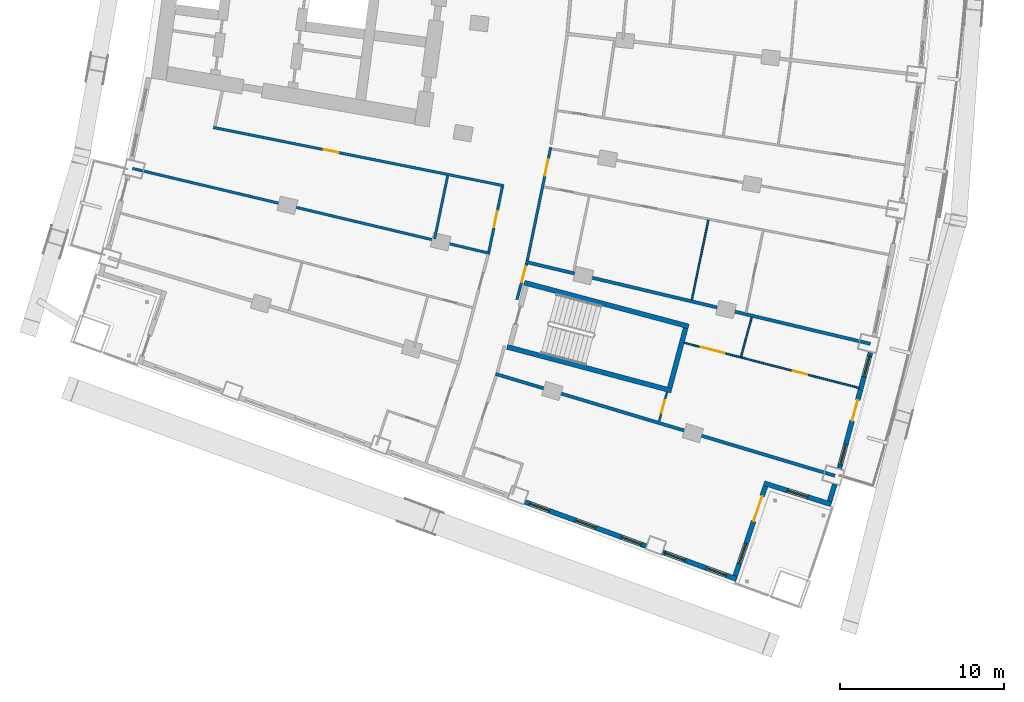
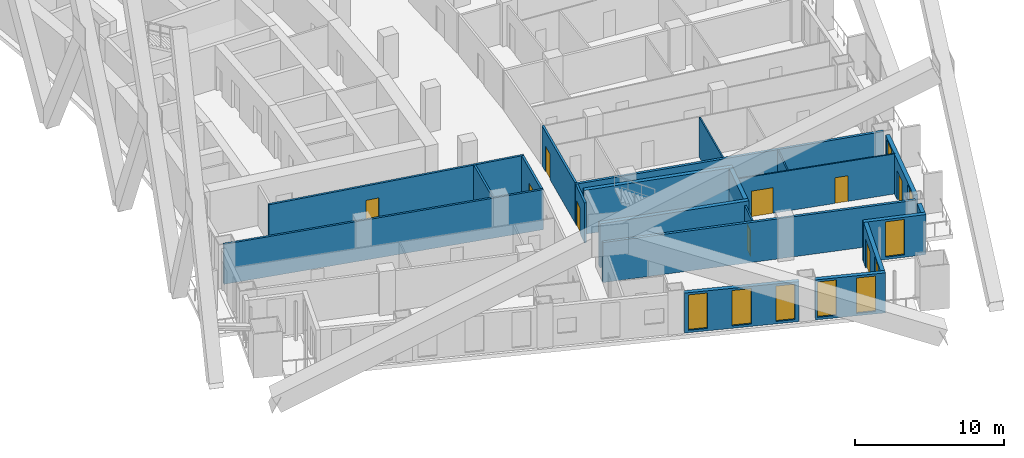
# One storey, part 12 of 23: 21 walls, 9 doors, 9 windows, 18 openings.
"""IFC4 building model written with IfcOpenShell, lengths in metres."""

from ifc_helpers import new_model, si_unit, direction, frame, frame_2d, origin, place, context, subcontext, project, spatial, rectangle, extrude, material, layer, layer_set, type_object, element, fill, save


model = new_model("IFC4")

# Units and contexts
model_context = context("Model", 3, precision=1e-05, world=origin(), true_north=direction((0.0, 1.0)))
body_context = subcontext(model_context, "Body", "Model", "MODEL_VIEW")
ifc_project = project(units=[si_unit("LENGTHUNIT", "METRE"), si_unit("AREAUNIT", "SQUARE_METRE"), si_unit("VOLUMEUNIT", "CUBIC_METRE"), si_unit("PLANEANGLEUNIT", "RADIAN"), si_unit("MASSUNIT", "GRAM", prefix="KILO")], contexts=[model_context])

# Site, building, storey
site_placement = place(None, origin())
site = spatial("IfcSite", under=ifc_project, at=site_placement, CompositionType="ELEMENT")
building_placement = place(site_placement, origin())
building = spatial("IfcBuilding", under=site, at=building_placement, Name="Alderwake Tower", CompositionType="ELEMENT")
storey_placement = place(building_placement, frame((0.0, 0.0, 53.60009765625)))
storey = spatial("IfcBuildingStorey", under=building, at=storey_placement, Name="L12", CompositionType="ELEMENT", Elevation=53.60009765625)

# Walls
ifc_material_1 = material(Name="Concrete C70/85", Category="concrete")
ifc_layer_1 = layer(ifc_material_1, 0.300048828125)
ifc_layer_set_1 = layer_set([ifc_layer_1], Name="Core wall stair enclosure 300 C70-85")
wall_type_1 = type_object("IfcWallType", Name="Core wall stair enclosure 300 C70-85", PredefinedType="SHEAR", material=ifc_layer_set_1)
for number, where, z_axis, x_axis, name in (
    (1, (37.75390625, 31.731201171875, 0.0), (0.0, 0.0, 1.0), (0.966309214305, -0.257383958996, 0.0), "Core wall CW.086"),
    (2, (36.71142578125, 27.817626953125, 0.0), (0.0, 0.0, 1.0), (0.966309214305, -0.257383958996, 0.0), "Core wall CW.088"),
):
    element("IfcWall", number, at=place(storey_placement, frame(where, z_axis=z_axis, x_axis=x_axis)), inside=storey, type_object=wall_type_1, Name=name, PredefinedType="SHEAR", context=body_context, shape_type="SweptSolid", body=[
        extrude(rectangle(XDim=10.360107421875, YDim=0.300048828125, at=frame_2d((5.18017578125, 0.0))), origin(), (0.0, 0.0, 1.0), 3.599853515625),
    ])
wall_1_placement = place(storey_placement, frame((46.6162109375, 25.334716796875, 0.0), z_axis=(0.0, 0.0, 1.0), x_axis=(0.257366821694, 0.966313778796, 0.0)))
element("IfcWall", 3, at=wall_1_placement, inside=storey, type_object=wall_type_1, Name="Core wall CW.085", PredefinedType="SHEAR", context=body_context, shape_type="SweptSolid", body=[
    extrude(rectangle(XDim=3.749755859375, YDim=0.300048828125, at=frame_2d((1.875, 0.0))), origin(), (0.0, 0.0, 1.0), 3.599853515625),
])
ifc_material_2 = material(Name="Gypsum board on metal studs, rated")
ifc_layer_2 = layer(ifc_material_2, 0.159912109375)
ifc_layer_set_2 = layer_set([ifc_layer_2], Name="Corridor wall 160")
wall_type_2 = type_object("IfcWallType", Name="Corridor wall 160", PredefinedType="PARTITIONING", material=ifc_layer_set_2)
wall_2_placement = place(storey_placement, frame((13.884033203125, 38.68798828125, 0.0), z_axis=(0.0, 0.0, 1.0), x_axis=(0.972893462073, -0.231253781493, 0.0)))
element("IfcWall", 4, at=wall_2_placement, inside=storey, type_object=wall_type_2, Name="WL/L12/W13", PredefinedType="PARTITIONING", context=body_context, shape_type="SweptSolid", body=[
    extrude(rectangle(XDim=22.38037109375, YDim=0.159912109375, at=frame_2d((11.190185546875, 0.0))), origin(), (0.0, 0.0, 1.0), 3.27978515625),
])

# Wall, opening, door
wall_3_placement = place(storey_placement, frame((36.513427734375, 37.63427734375, 0.0), z_axis=(0.0, 0.0, 1.0), x_axis=(-0.980470254867, 0.1966674333, 0.0)))
wall_3 = element("IfcWall", 5, at=wall_3_placement, inside=storey, type_object=wall_type_2, Name="WL/L12/W14", PredefinedType="PARTITIONING", context=body_context, shape_type="SweptSolid", body=[
    extrude(rectangle(XDim=18.053466796875, YDim=0.159912109375, at=frame_2d((9.02685546875, 0.0))), origin(), (0.0, 0.0, 1.0), 3.27978515625),
])
opening_1_placement = place(wall_3_placement, frame((10.277099609375, 0.0, 0.0)))
opening_1 = element("IfcOpeningElement", 6, at=opening_1_placement, cuts=wall_3, Name="Opening R03-SBS1", PredefinedType="OPENING", context=body_context, shape_type="SweptSolid", body=[
    extrude(rectangle(XDim=0.89990234375, YDim=2.10009765625, at=frame_2d((0.449951171875, 1.050048828125))), frame((0.0, 0.08984375, 0.0), z_axis=(0.0, -1.0, 0.0), x_axis=(1.0, 0.0, 0.0)), (0.0, 0.0, 1.0), 0.179931640625),
])
ifc_material_3 = material(Name="Painted timber leaf", Category="wood")
door_type_1 = type_object("IfcDoorType", Name="Room door 900", OperationType="SINGLE_SWING_LEFT", PredefinedType="DOOR", material=ifc_material_3)
door_1_placement = place(opening_1_placement, origin())
door_1 = element("IfcDoor", 7, at=door_1_placement, inside=storey, type_object=door_type_1, Name="DR/L12/SBS1", OperationType="SINGLE_SWING_LEFT", OverallHeight=2.10009765625, OverallWidth=0.89990234375, PredefinedType="DOOR", context=body_context, shape_type="SweptSolid", body=[
    extrude(rectangle(XDim=0.89990234375, YDim=2.10009765625, at=frame_2d((0.449951171875, 1.050048828125))), frame((0.0, 0.02490234375, 0.0), z_axis=(0.0, -1.0, 0.0), x_axis=(1.0, 0.0, 0.0)), (0.0, 0.0, 1.0), 0.050048828125),
])
fill(opening_1, door_1)

wall_4_placement = place(storey_placement, frame((35.59619140625, 33.609375, 0.0), z_axis=(0.0, 0.0, 1.0), x_axis=(0.203245920818, 0.979127721838, 0.0)))
wall_4 = element("IfcWall", 8, at=wall_4_placement, inside=storey, type_object=wall_type_2, Name="WL/L12/W26", PredefinedType="PARTITIONING", context=body_context, shape_type="SweptSolid", body=[
    extrude(rectangle(XDim=4.046875, YDim=0.159912109375, at=frame_2d((2.0234375, 0.0))), origin(), (0.0, 0.0, 1.0), 3.27978515625),
])
opening_2_placement = place(wall_4_placement, frame((1.5234375, 0.0, 0.0)))
opening_2 = element("IfcOpeningElement", 9, at=opening_2_placement, cuts=wall_4, Name="Opening R03-SBS2", PredefinedType="OPENING", context=body_context, shape_type="SweptSolid", body=[
    extrude(rectangle(XDim=1.0, YDim=2.10009765625, at=frame_2d((0.5, 1.050048828125))), frame((0.0, 0.08984375, 0.0), z_axis=(0.0, -1.0, 0.0), x_axis=(1.0, 0.0, 0.0)), (0.0, 0.0, 1.0), 0.179931640625),
])
ifc_material_4 = material(Name="Steel-framed fire door leaf", Category="steel")
door_type_2 = type_object("IfcDoorType", Name="Plant room door 1000 fire-rated", OperationType="SINGLE_SWING_LEFT", PredefinedType="DOOR", material=ifc_material_4)
door_2_placement = place(opening_2_placement, origin())
door_2 = element("IfcDoor", 10, at=door_2_placement, inside=storey, type_object=door_type_2, Name="DR/L12/SBS2", OperationType="SINGLE_SWING_LEFT", OverallHeight=2.10009765625, OverallWidth=1.0, PredefinedType="DOOR", context=body_context, shape_type="SweptSolid", body=[
    extrude(rectangle(XDim=1.0, YDim=2.10009765625, at=frame_2d((0.5, 1.050048828125))), frame((0.0, 0.02490234375, 0.0), z_axis=(0.0, -1.0, 0.0), x_axis=(1.0, 0.0, 0.0)), (0.0, 0.0, 1.0), 0.050048828125),
])
fill(opening_2, door_2)

wall_5_placement = place(storey_placement, frame((37.89111328125, 32.87939453125, 0.0), z_axis=(0.0, 0.0, 1.0), x_axis=(-0.259620578816, -0.965710699462, 0.0)))
wall_5 = element("IfcWall", 11, at=wall_5_placement, inside=storey, type_object=wall_type_2, Name="WL/L12/W29", PredefinedType="PARTITIONING", context=body_context, shape_type="SweptSolid", body=[
    extrude(rectangle(XDim=2.2578125, YDim=0.159912109375, at=frame_2d((1.12890625, 0.0))), origin(), (0.0, 0.0, 1.0), 3.27978515625),
])
opening_3_placement = place(wall_5_placement, frame((0.1708984375, 0.0, 0.0)))
opening_3 = element("IfcOpeningElement", 12, at=opening_3_placement, cuts=wall_5, Name="Opening R03-U01.1", PredefinedType="OPENING", context=body_context, shape_type="SweptSolid", body=[
    extrude(rectangle(XDim=1.0, YDim=2.10009765625, at=frame_2d((0.5, 1.050048828125))), frame((0.0, 0.08984375, 0.0), z_axis=(0.0, -1.0, 0.0), x_axis=(1.0, 0.0, 0.0)), (0.0, 0.0, 1.0), 0.179931640625),
])
ifc_material_5 = material(Name="Solid timber leaf in steel frame", Category="steel")
door_type_3 = type_object("IfcDoorType", Name="Flat entrance door 1000 fire-rated", OperationType="SINGLE_SWING_LEFT", PredefinedType="DOOR", material=ifc_material_5)
door_3_placement = place(opening_3_placement, origin())
door_3 = element("IfcDoor", 13, at=door_3_placement, inside=storey, type_object=door_type_3, Name="DR/L12/U01.1", OperationType="SINGLE_SWING_LEFT", OverallHeight=2.10009765625, OverallWidth=1.0, PredefinedType="DOOR", context=body_context, shape_type="SweptSolid", body=[
    extrude(rectangle(XDim=1.0, YDim=2.10009765625, at=frame_2d((0.5, 1.050048828125))), frame((0.0, 0.02490234375, 0.0), z_axis=(0.0, -1.0, 0.0), x_axis=(1.0, 0.0, 0.0)), (0.0, 0.0, 1.0), 0.050048828125),
])
fill(opening_3, door_3)

wall_6_placement = place(storey_placement, frame((39.3642578125, 39.975341796875, 0.0), z_axis=(0.0, 0.0, 1.0), x_axis=(-0.202487611378, -0.979284824368, 0.0)))
wall_6 = element("IfcWall", 14, at=wall_6_placement, inside=storey, type_object=wall_type_2, Name="WL/L12/W30", PredefinedType="PARTITIONING", context=body_context, shape_type="SweptSolid", body=[
    extrude(rectangle(XDim=7.04736328125, YDim=0.159912109375, at=frame_2d((3.523681640625, 0.0))), origin(), (0.0, 0.0, 1.0), 3.27978515625),
])
opening_4_placement = place(wall_6_placement, frame((0.7568359375, 0.0, 0.0)))
opening_4 = element("IfcOpeningElement", 15, at=opening_4_placement, cuts=wall_6, Name="Opening R03-U05.3", PredefinedType="OPENING", context=body_context, shape_type="SweptSolid", body=[
    extrude(rectangle(XDim=1.0, YDim=2.10009765625, at=frame_2d((0.5, 1.050048828125))), frame((0.0, 0.08984375, 0.0), z_axis=(0.0, -1.0, 0.0), x_axis=(1.0, 0.0, 0.0)), (0.0, 0.0, 1.0), 0.179931640625),
])
door_4_placement = place(opening_4_placement, origin())
door_4 = element("IfcDoor", 16, at=door_4_placement, inside=storey, type_object=door_type_3, Name="DR/L12/U05.3", OperationType="SINGLE_SWING_LEFT", OverallHeight=2.10009765625, OverallWidth=1.0, PredefinedType="DOOR", context=body_context, shape_type="SweptSolid", body=[
    extrude(rectangle(XDim=1.0, YDim=2.10009765625, at=frame_2d((0.5, 1.050048828125))), frame((0.0, 0.02490234375, 0.0), z_axis=(0.0, -1.0, 0.0), x_axis=(1.0, 0.0, 0.0)), (0.0, 0.0, 1.0), 0.050048828125),
])
fill(opening_4, door_4)

# Wall
ifc_material_6 = material(Name="Precast concrete C50/60 spandrel panel", Category="concrete")
ifc_layer_3 = layer(ifc_material_6, 0.300048828125)
ifc_layer_set_3 = layer_set([ifc_layer_3], Name="External wall EW1 Precast concrete C50/60 spandrel")
wall_type_3 = type_object("IfcWallType", Name="External wall EW1 Precast concrete C50/60 spandrel", PredefinedType="SOLIDWALL", material=ifc_layer_set_3)
wall_7_placement = place(storey_placement, frame((56.3505859375, 18.41064453125, 0.0), z_axis=(0.0, 0.0, 1.0), x_axis=(0.294452184736, 0.955666213123, 0.0)))
element("IfcWall", 17, at=wall_7_placement, inside=storey, type_object=wall_type_3, Name="External wall 11", PredefinedType="SOLIDWALL", context=body_context, shape_type="SweptSolid", body=[
    extrude(rectangle(XDim=1.0771484375, YDim=0.300048828125, at=frame_2d((0.53857421875, 0.0))), origin(), (0.0, 0.0, 1.0), 3.27978515625),
])

# Wall, openings, door, windows
wall_8_placement = place(storey_placement, frame((56.952880859375, 20.43017578125, 0.0), z_axis=(0.0, 0.0, 1.0), x_axis=(0.259504577704, 0.9657418776, 0.0)))
wall_8 = element("IfcWall", 18, at=wall_8_placement, inside=storey, type_object=wall_type_3, Name="External wall 12", PredefinedType="SOLIDWALL", context=body_context, shape_type="SweptSolid", body=[
    extrude(rectangle(XDim=7.28271484375, YDim=0.300048828125, at=frame_2d((3.641357421875, 0.0))), origin(), (0.0, 0.0, 1.0), 3.27978515625),
])
opening_5_placement = place(wall_8_placement, frame((0.218994140625, 0.0, 0.199951171875)))
opening_5 = element("IfcOpeningElement", 19, at=opening_5_placement, cuts=wall_8, Name="Opening W1", PredefinedType="OPENING", context=body_context, shape_type="SweptSolid", body=[
    extrude(rectangle(XDim=1.300048828125, YDim=2.89990234375, at=frame_2d((0.64990234375, 1.449951171875))), frame((0.0, 0.159912109375, 0.0), z_axis=(0.0, -1.0, 0.0), x_axis=(1.0, 0.0, 0.0)), (0.0, 0.0, 1.0), 0.320068359375),
])
opening_6_placement = place(wall_8_placement, frame((2.9912109375, 0.0, 0.0)))
opening_6 = element("IfcOpeningElement", 20, at=opening_6_placement, cuts=wall_8, Name="Opening D03", PredefinedType="OPENING", context=body_context, shape_type="SweptSolid", body=[
    extrude(rectangle(XDim=1.300048828125, YDim=2.39990234375, at=frame_2d((0.64990234375, 1.199951171875))), frame((0.0, 0.159912109375, 0.0), z_axis=(0.0, -1.0, 0.0), x_axis=(1.0, 0.0, 0.0)), (0.0, 0.0, 1.0), 0.320068359375),
])
opening_7_placement = place(wall_8_placement, frame((5.763671875, 0.0, 0.199951171875)))
opening_7 = element("IfcOpeningElement", 21, at=opening_7_placement, cuts=wall_8, Name="Opening W1", PredefinedType="OPENING", context=body_context, shape_type="SweptSolid", body=[
    extrude(rectangle(XDim=1.300048828125, YDim=2.89990234375, at=frame_2d((0.64990234375, 1.449951171875))), frame((0.0, 0.159912109375, 0.0), z_axis=(0.0, -1.0, 0.0), x_axis=(1.0, 0.0, 0.0)), (0.0, 0.0, 1.0), 0.320068359375),
])
ifc_material_7 = material(Name="Bronze tinted glass in aluminium frame", Category="aluminium")
door_type_4 = type_object("IfcDoorType", Name="Balcony door BD sliding", OperationType="SLIDING_TO_LEFT", PredefinedType="DOOR", material=ifc_material_7)
door_5_placement = place(opening_6_placement, origin())
door_5 = element("IfcDoor", 22, at=door_5_placement, inside=storey, type_object=door_type_4, Name="Door D03", OperationType="SLIDING_TO_LEFT", OverallHeight=2.39990234375, OverallWidth=1.300048828125, PredefinedType="DOOR", context=body_context, shape_type="SweptSolid", body=[
    extrude(rectangle(XDim=1.300048828125, YDim=2.39990234375, at=frame_2d((0.64990234375, 1.199951171875))), frame((0.0, 0.02490234375, 0.0), z_axis=(0.0, -1.0, 0.0), x_axis=(1.0, 0.0, 0.0)), (0.0, 0.0, 1.0), 0.050048828125),
])
fill(opening_6, door_5)
ifc_material_8 = material(Name="Bronze tinted glass in aluminium frame", Category="aluminium")
window_type = type_object("IfcWindowType", Name="Window W1 tall fixed and vent", PartitioningType="DOUBLE_PANEL_VERTICAL", PredefinedType="WINDOW", material=ifc_material_8)
window_1_placement = place(opening_5_placement, origin())
window_1 = element("IfcWindow", 23, at=window_1_placement, inside=storey, type_object=window_type, Name="Window W1 tall fixed and vent", OverallHeight=2.89990234375, OverallWidth=1.300048828125, PartitioningType="DOUBLE_PANEL_VERTICAL", PredefinedType="WINDOW", context=body_context, shape_type="SweptSolid", body=[
    extrude(rectangle(XDim=1.300048828125, YDim=2.89990234375, at=frame_2d((0.64990234375, 1.449951171875))), frame((0.0, 0.030029296875, 0.0), z_axis=(0.0, -1.0, 0.0), x_axis=(1.0, 0.0, 0.0)), (0.0, 0.0, 1.0), 0.06005859375),
])
fill(opening_5, window_1)
window_2_placement = place(opening_7_placement, origin())
window_2 = element("IfcWindow", 24, at=window_2_placement, inside=storey, type_object=window_type, Name="Window W1 tall fixed and vent", OverallHeight=2.89990234375, OverallWidth=1.300048828125, PartitioningType="DOUBLE_PANEL_VERTICAL", PredefinedType="WINDOW", context=body_context, shape_type="SweptSolid", body=[
    extrude(rectangle(XDim=1.300048828125, YDim=2.89990234375, at=frame_2d((0.64990234375, 1.449951171875))), frame((0.0, 0.030029296875, 0.0), z_axis=(0.0, -1.0, 0.0), x_axis=(1.0, 0.0, 0.0)), (0.0, 0.0, 1.0), 0.06005859375),
])
fill(opening_7, window_2)

# Wall, openings, windows
ifc_material_9 = material(Name="Bronze metal cladding on lightweight framing")
ifc_layer_4 = layer(ifc_material_9, 0.300048828125)
ifc_layer_set_4 = layer_set([ifc_layer_4], Name="External wall EW2 bronze metal cladding")
wall_type_4 = type_object("IfcWallType", Name="External wall EW2 bronze metal cladding", PredefinedType="SOLIDWALL", material=ifc_layer_set_4)
wall_9_placement = place(storey_placement, frame((37.808349609375, 18.369140625, 0.0), z_axis=(0.0, 0.0, 1.0), x_axis=(0.939377568192, -0.342884505887, 0.0)))
wall_9 = element("IfcWall", 25, at=wall_9_placement, inside=storey, type_object=wall_type_4, Name="External wall 7", PredefinedType="SOLIDWALL", context=body_context, shape_type="SweptSolid", body=[
    extrude(rectangle(XDim=7.829345703125, YDim=0.300048828125, at=frame_2d((3.91455078125, 0.0))), origin(), (0.0, 0.0, 1.0), 3.27978515625),
])
opening_8_placement = place(wall_9_placement, frame((0.286865234375, 0.0, 0.199951171875)))
opening_8 = element("IfcOpeningElement", 26, at=opening_8_placement, cuts=wall_9, Name="Opening W1", PredefinedType="OPENING", context=body_context, shape_type="SweptSolid", body=[
    extrude(rectangle(XDim=1.300048828125, YDim=2.89990234375, at=frame_2d((0.64990234375, 1.449951171875))), frame((0.0, 0.159912109375, 0.0), z_axis=(0.0, -1.0, 0.0), x_axis=(1.0, 0.0, 0.0)), (0.0, 0.0, 1.0), 0.320068359375),
])
opening_9_placement = place(wall_9_placement, frame((3.2646484375, 0.0, 0.199951171875)))
opening_9 = element("IfcOpeningElement", 27, at=opening_9_placement, cuts=wall_9, Name="Opening W1", PredefinedType="OPENING", context=body_context, shape_type="SweptSolid", body=[
    extrude(rectangle(XDim=1.300048828125, YDim=2.89990234375, at=frame_2d((0.64990234375, 1.449951171875))), frame((0.0, 0.159912109375, 0.0), z_axis=(0.0, -1.0, 0.0), x_axis=(1.0, 0.0, 0.0)), (0.0, 0.0, 1.0), 0.320068359375),
])
opening_10_placement = place(wall_9_placement, frame((6.242431640625, 0.0, 0.199951171875)))
opening_10 = element("IfcOpeningElement", 28, at=opening_10_placement, cuts=wall_9, Name="Opening W1", PredefinedType="OPENING", context=body_context, shape_type="SweptSolid", body=[
    extrude(rectangle(XDim=1.300048828125, YDim=2.89990234375, at=frame_2d((0.64990234375, 1.449951171875))), frame((0.0, 0.159912109375, 0.0), z_axis=(0.0, -1.0, 0.0), x_axis=(1.0, 0.0, 0.0)), (0.0, 0.0, 1.0), 0.320068359375),
])
window_3_placement = place(opening_8_placement, origin())
window_3 = element("IfcWindow", 29, at=window_3_placement, inside=storey, type_object=window_type, Name="Window W1 tall fixed and vent", OverallHeight=2.89990234375, OverallWidth=1.300048828125, PartitioningType="DOUBLE_PANEL_VERTICAL", PredefinedType="WINDOW", context=body_context, shape_type="SweptSolid", body=[
    extrude(rectangle(XDim=1.300048828125, YDim=2.89990234375, at=frame_2d((0.64990234375, 1.449951171875))), frame((0.0, 0.030029296875, 0.0), z_axis=(0.0, -1.0, 0.0), x_axis=(1.0, 0.0, 0.0)), (0.0, 0.0, 1.0), 0.06005859375),
])
fill(opening_8, window_3)
window_4_placement = place(opening_9_placement, origin())
window_4 = element("IfcWindow", 30, at=window_4_placement, inside=storey, type_object=window_type, Name="Window W1 tall fixed and vent", OverallHeight=2.89990234375, OverallWidth=1.300048828125, PartitioningType="DOUBLE_PANEL_VERTICAL", PredefinedType="WINDOW", context=body_context, shape_type="SweptSolid", body=[
    extrude(rectangle(XDim=1.300048828125, YDim=2.89990234375, at=frame_2d((0.64990234375, 1.449951171875))), frame((0.0, 0.030029296875, 0.0), z_axis=(0.0, -1.0, 0.0), x_axis=(1.0, 0.0, 0.0)), (0.0, 0.0, 1.0), 0.06005859375),
])
fill(opening_9, window_4)
window_5_placement = place(opening_10_placement, origin())
window_5 = element("IfcWindow", 31, at=window_5_placement, inside=storey, type_object=window_type, Name="Window W1 tall fixed and vent", OverallHeight=2.89990234375, OverallWidth=1.300048828125, PartitioningType="DOUBLE_PANEL_VERTICAL", PredefinedType="WINDOW", context=body_context, shape_type="SweptSolid", body=[
    extrude(rectangle(XDim=1.300048828125, YDim=2.89990234375, at=frame_2d((0.64990234375, 1.449951171875))), frame((0.0, 0.030029296875, 0.0), z_axis=(0.0, -1.0, 0.0), x_axis=(1.0, 0.0, 0.0)), (0.0, 0.0, 1.0), 0.06005859375),
])
fill(opening_10, window_5)

wall_10_placement = place(storey_placement, frame((46.2001953125, 15.305908203125, 0.0), z_axis=(0.0, 0.0, 1.0), x_axis=(0.939381087799, -0.342874863304, 0.0)))
wall_10 = element("IfcWall", 32, at=wall_10_placement, inside=storey, type_object=wall_type_4, Name="External wall 8", PredefinedType="SOLIDWALL", context=body_context, shape_type="SweptSolid", body=[
    extrude(rectangle(XDim=4.779296875, YDim=0.300048828125, at=frame_2d((2.3896484375, 0.0))), origin(), (0.0, 0.0, 1.0), 3.27978515625),
])
opening_11_placement = place(wall_10_placement, frame((0.130859375, 0.0, 0.199951171875)))
opening_11 = element("IfcOpeningElement", 33, at=opening_11_placement, cuts=wall_10, Name="Opening W1", PredefinedType="OPENING", context=body_context, shape_type="SweptSolid", body=[
    extrude(rectangle(XDim=1.300048828125, YDim=2.89990234375, at=frame_2d((0.64990234375, 1.449951171875))), frame((0.0, 0.159912109375, 0.0), z_axis=(0.0, -1.0, 0.0), x_axis=(1.0, 0.0, 0.0)), (0.0, 0.0, 1.0), 0.320068359375),
])
opening_12_placement = place(wall_10_placement, frame((2.79638671875, 0.0, 0.199951171875)))
opening_12 = element("IfcOpeningElement", 34, at=opening_12_placement, cuts=wall_10, Name="Opening W1", PredefinedType="OPENING", context=body_context, shape_type="SweptSolid", body=[
    extrude(rectangle(XDim=1.300048828125, YDim=2.89990234375, at=frame_2d((0.64990234375, 1.449951171875))), frame((0.0, 0.159912109375, 0.0), z_axis=(0.0, -1.0, 0.0), x_axis=(1.0, 0.0, 0.0)), (0.0, 0.0, 1.0), 0.320068359375),
])
window_6_placement = place(opening_11_placement, origin())
window_6 = element("IfcWindow", 35, at=window_6_placement, inside=storey, type_object=window_type, Name="Window W1 tall fixed and vent", OverallHeight=2.89990234375, OverallWidth=1.300048828125, PartitioningType="DOUBLE_PANEL_VERTICAL", PredefinedType="WINDOW", context=body_context, shape_type="SweptSolid", body=[
    extrude(rectangle(XDim=1.300048828125, YDim=2.89990234375, at=frame_2d((0.64990234375, 1.449951171875))), frame((0.0, 0.030029296875, 0.0), z_axis=(0.0, -1.0, 0.0), x_axis=(1.0, 0.0, 0.0)), (0.0, 0.0, 1.0), 0.06005859375),
])
fill(opening_11, window_6)
window_7_placement = place(opening_12_placement, origin())
window_7 = element("IfcWindow", 36, at=window_7_placement, inside=storey, type_object=window_type, Name="Window W1 tall fixed and vent", OverallHeight=2.89990234375, OverallWidth=1.300048828125, PartitioningType="DOUBLE_PANEL_VERTICAL", PredefinedType="WINDOW", context=body_context, shape_type="SweptSolid", body=[
    extrude(rectangle(XDim=1.300048828125, YDim=2.89990234375, at=frame_2d((0.64990234375, 1.449951171875))), frame((0.0, 0.030029296875, 0.0), z_axis=(0.0, -1.0, 0.0), x_axis=(1.0, 0.0, 0.0)), (0.0, 0.0, 1.0), 0.06005859375),
])
fill(opening_12, window_7)

# Wall, openings, door, window
wall_11_placement = place(storey_placement, frame((50.596923828125, 13.860595703125, 0.0), z_axis=(0.0, 0.0, 1.0), x_axis=(0.320866373694, 0.947124474519, 0.0)))
wall_11 = element("IfcWall", 37, at=wall_11_placement, inside=storey, type_object=wall_type_4, Name="External wall 9", PredefinedType="SOLIDWALL", context=body_context, shape_type="SweptSolid", body=[
    extrude(rectangle(XDim=5.7744140625, YDim=0.300048828125, at=frame_2d((2.88720703125, 0.0))), origin(), (0.0, 0.0, 1.0), 3.27978515625),
])
opening_13_placement = place(wall_11_placement, frame((0.79345703125, 0.0, 0.199951171875)))
opening_13 = element("IfcOpeningElement", 38, at=opening_13_placement, cuts=wall_11, Name="Opening W1", PredefinedType="OPENING", context=body_context, shape_type="SweptSolid", body=[
    extrude(rectangle(XDim=1.300048828125, YDim=2.89990234375, at=frame_2d((0.64990234375, 1.449951171875))), frame((0.0, 0.159912109375, 0.0), z_axis=(0.0, -1.0, 0.0), x_axis=(1.0, 0.0, 0.0)), (0.0, 0.0, 1.0), 0.320068359375),
])
opening_14_placement = place(wall_11_placement, frame((3.530517578125, 0.0, 0.0)))
opening_14 = element("IfcOpeningElement", 39, at=opening_14_placement, cuts=wall_11, Name="Opening D02", PredefinedType="OPENING", context=body_context, shape_type="SweptSolid", body=[
    extrude(rectangle(XDim=1.60009765625, YDim=2.39990234375, at=frame_2d((0.800048828125, 1.199951171875))), frame((0.0, 0.159912109375, 0.0), z_axis=(0.0, -1.0, 0.0), x_axis=(1.0, 0.0, 0.0)), (0.0, 0.0, 1.0), 0.320068359375),
])
ifc_material_10 = material(Name="Bronze tinted glass in aluminium frame", Category="aluminium")
door_type_5 = type_object("IfcDoorType", Name="Terrace door TD sliding", OperationType="SLIDING_TO_LEFT", PredefinedType="DOOR", material=ifc_material_10)
door_6_placement = place(opening_14_placement, origin())
door_6 = element("IfcDoor", 40, at=door_6_placement, inside=storey, type_object=door_type_5, Name="Door D02", OperationType="SLIDING_TO_LEFT", OverallHeight=2.39990234375, OverallWidth=1.60009765625, PredefinedType="DOOR", context=body_context, shape_type="SweptSolid", body=[
    extrude(rectangle(XDim=1.60009765625, YDim=2.39990234375, at=frame_2d((0.800048828125, 1.199951171875))), frame((0.0, 0.02490234375, 0.0), z_axis=(0.0, -1.0, 0.0), x_axis=(1.0, 0.0, 0.0)), (0.0, 0.0, 1.0), 0.050048828125),
])
fill(opening_14, door_6)
window_8_placement = place(opening_13_placement, origin())
window_8 = element("IfcWindow", 41, at=window_8_placement, inside=storey, type_object=window_type, Name="Window W1 tall fixed and vent", OverallHeight=2.89990234375, OverallWidth=1.300048828125, PartitioningType="DOUBLE_PANEL_VERTICAL", PredefinedType="WINDOW", context=body_context, shape_type="SweptSolid", body=[
    extrude(rectangle(XDim=1.300048828125, YDim=2.89990234375, at=frame_2d((0.64990234375, 1.449951171875))), frame((0.0, 0.030029296875, 0.0), z_axis=(0.0, -1.0, 0.0), x_axis=(1.0, 0.0, 0.0)), (0.0, 0.0, 1.0), 0.06005859375),
])
fill(opening_13, window_8)

# Wall, opening, window
wall_12_placement = place(storey_placement, frame((52.35498046875, 19.516845703125, 0.0), z_axis=(0.0, 0.0, 1.0), x_axis=(0.953470039543, -0.301487783656, 0.0)))
wall_12 = element("IfcWall", 42, at=wall_12_placement, inside=storey, type_object=wall_type_4, Name="External wall 10", PredefinedType="SOLIDWALL", context=body_context, shape_type="SweptSolid", body=[
    extrude(rectangle(XDim=4.294189453125, YDim=0.300048828125, at=frame_2d((2.14697265625, 0.0))), origin(), (0.0, 0.0, 1.0), 3.27978515625),
])
opening_15_placement = place(wall_12_placement, frame((1.4970703125, 0.0, 0.199951171875)))
opening_15 = element("IfcOpeningElement", 43, at=opening_15_placement, cuts=wall_12, Name="Opening W1", PredefinedType="OPENING", context=body_context, shape_type="SweptSolid", body=[
    extrude(rectangle(XDim=1.300048828125, YDim=2.89990234375, at=frame_2d((0.64990234375, 1.449951171875))), frame((0.0, 0.159912109375, 0.0), z_axis=(0.0, -1.0, 0.0), x_axis=(1.0, 0.0, 0.0)), (0.0, 0.0, 1.0), 0.320068359375),
])
window_9_placement = place(opening_15_placement, origin())
window_9 = element("IfcWindow", 44, at=window_9_placement, inside=storey, type_object=window_type, Name="Window W1 tall fixed and vent", OverallHeight=2.89990234375, OverallWidth=1.300048828125, PartitioningType="DOUBLE_PANEL_VERTICAL", PredefinedType="WINDOW", context=body_context, shape_type="SweptSolid", body=[
    extrude(rectangle(XDim=1.300048828125, YDim=2.89990234375, at=frame_2d((0.64990234375, 1.449951171875))), frame((0.0, 0.030029296875, 0.0), z_axis=(0.0, -1.0, 0.0), x_axis=(1.0, 0.0, 0.0)), (0.0, 0.0, 1.0), 0.06005859375),
])
fill(opening_15, window_9)

# Walls
ifc_material_11 = material(Name="Dense block masonry wall", Category="masonry")
ifc_layer_5 = layer(ifc_material_11, 0.199951171875)
ifc_layer_set_5 = layer_set([ifc_layer_5], Name="Party wall 200")
wall_type_5 = type_object("IfcWallType", Name="Party wall 200", PredefinedType="SOLIDWALL", material=ifc_layer_set_5)
wall_13_placement = place(storey_placement, frame((36.00439453125, 26.1708984375, 0.0), z_axis=(0.0, 0.0, 1.0), x_axis=(0.957797321715, -0.287444412913, 0.0)))
element("IfcWall", 45, at=wall_13_placement, inside=storey, type_object=wall_type_5, Name="WL/L12/W03", PredefinedType="SOLIDWALL", context=body_context, shape_type="SweptSolid", body=[
    extrude(rectangle(XDim=21.579345703125, YDim=0.199951171875, at=frame_2d((10.78955078125, 0.0))), origin(), (0.0, 0.0, 1.0), 3.27978515625),
])
wall_14_placement = place(storey_placement, frame((37.839111328125, 32.994384765625, 0.0), z_axis=(0.0, 0.0, 1.0), x_axis=(0.972900578851, -0.23122383889, 0.0)))
element("IfcWall", 46, at=wall_14_placement, inside=storey, type_object=wall_type_5, Name="WL/L12/W04", PredefinedType="SOLIDWALL", context=body_context, shape_type="SweptSolid", body=[
    extrude(rectangle(XDim=21.57861328125, YDim=0.199951171875, at=frame_2d((10.789306640625, 0.0))), origin(), (0.0, 0.0, 1.0), 3.27978515625),
])
ifc_material_12 = material(Name="Gypsum shaft wall system, rated")
ifc_layer_6 = layer(ifc_material_12, 0.14990234375)
ifc_layer_set_6 = layer_set([ifc_layer_6], Name="Riser and shaft wall 150")
wall_type_6 = type_object("IfcWallType", Name="Riser and shaft wall 150", PredefinedType="PARTITIONING", material=ifc_layer_set_6)
wall_15_placement = place(storey_placement, frame((32.290283203125, 34.3955078125, 0.0), z_axis=(0.0, 0.0, 1.0), x_axis=(0.202568596204, 0.979268075571, 0.0)))
element("IfcWall", 47, at=wall_15_placement, inside=storey, type_object=wall_type_6, Name="WL/L12/W09", PredefinedType="PARTITIONING", context=body_context, shape_type="SweptSolid", body=[
    extrude(rectangle(XDim=3.926513671875, YDim=0.14990234375, at=frame_2d((1.96337890625, 0.0))), origin(), (0.0, 0.0, 1.0), 3.27978515625),
])

# Wall, openings, doors
ifc_material_13 = material(Name="Gypsum board on metal studs")
ifc_layer_7 = layer(ifc_material_13, 0.10009765625)
ifc_layer_set_7 = layer_set([ifc_layer_7], Name="Unit partition 100")
wall_type_7 = type_object("IfcWallType", Name="Unit partition 100", PredefinedType="PARTITIONING", material=ifc_layer_set_7)
wall_16_placement = place(storey_placement, frame((58.160888671875, 25.31396484375, 0.0), z_axis=(0.0, 0.0, 1.0), x_axis=(-0.968217943729, 0.250108003554, 0.0)))
wall_16 = element("IfcWall", 48, at=wall_16_placement, inside=storey, type_object=wall_type_7, Name="WL/L12/W75", PredefinedType="PARTITIONING", context=body_context, shape_type="SweptSolid", body=[
    extrude(rectangle(XDim=11.011962890625, YDim=0.10009765625, at=frame_2d((5.505859375, 0.0))), origin(), (0.0, 0.0, 1.0), 3.27978515625),
])
opening_16_placement = place(wall_16_placement, frame((8.47998046875, 0.0, 0.0)))
opening_16 = element("IfcOpeningElement", 49, at=opening_16_placement, cuts=wall_16, Name="Opening R03-U01.2", PredefinedType="OPENING", context=body_context, shape_type="SweptSolid", body=[
    extrude(rectangle(XDim=1.5, YDim=2.10009765625, at=frame_2d((0.75, 1.050048828125))), frame((0.0, 0.06005859375, 0.0), z_axis=(0.0, -1.0, 0.0), x_axis=(1.0, 0.0, 0.0)), (0.0, 0.0, 1.0), 0.1201171875),
])
opening_17_placement = place(wall_16_placement, frame((3.274169921875, 0.0, 0.0)))
opening_17 = element("IfcOpeningElement", 50, at=opening_17_placement, cuts=wall_16, Name="Opening R03-U01.3", PredefinedType="OPENING", context=body_context, shape_type="SweptSolid", body=[
    extrude(rectangle(XDim=0.89990234375, YDim=2.10009765625, at=frame_2d((0.449951171875, 1.050048828125))), frame((0.0, 0.06005859375, 0.0), z_axis=(0.0, -1.0, 0.0), x_axis=(1.0, 0.0, 0.0)), (0.0, 0.0, 1.0), 0.1201171875),
])
ifc_material_14 = material(Name="Painted timber leaves", Category="wood")
door_type_6 = type_object("IfcDoorType", Name="Double leaf door 1500", OperationType="DOUBLE_DOOR_SINGLE_SWING", PredefinedType="DOOR", material=ifc_material_14)
door_7_placement = place(opening_16_placement, origin())
door_7 = element("IfcDoor", 51, at=door_7_placement, inside=storey, type_object=door_type_6, Name="DR/L12/U01.2", OperationType="DOUBLE_DOOR_SINGLE_SWING", OverallHeight=2.10009765625, OverallWidth=1.5, PredefinedType="DOOR", context=body_context, shape_type="SweptSolid", body=[
    extrude(rectangle(XDim=1.5, YDim=2.10009765625, at=frame_2d((0.75, 1.050048828125))), frame((0.0, 0.02490234375, 0.0), z_axis=(0.0, -1.0, 0.0), x_axis=(1.0, 0.0, 0.0)), (0.0, 0.0, 1.0), 0.050048828125),
])
fill(opening_16, door_7)
door_8_placement = place(opening_17_placement, origin())
door_8 = element("IfcDoor", 52, at=door_8_placement, inside=storey, type_object=door_type_1, Name="DR/L12/U01.3", OperationType="SINGLE_SWING_LEFT", OverallHeight=2.10009765625, OverallWidth=0.89990234375, PredefinedType="DOOR", context=body_context, shape_type="SweptSolid", body=[
    extrude(rectangle(XDim=0.89990234375, YDim=2.10009765625, at=frame_2d((0.449951171875, 1.050048828125))), frame((0.0, 0.02490234375, 0.0), z_axis=(0.0, -1.0, 0.0), x_axis=(1.0, 0.0, 0.0)), (0.0, 0.0, 1.0), 0.050048828125),
])
fill(opening_17, door_8)

# Walls
wall_17_placement = place(storey_placement, frame((47.96337890625, 30.69189453125, 0.0), z_axis=(0.0, 0.0, 1.0), x_axis=(0.202431544222, 0.979296415752, 0.0)))
element("IfcWall", 53, at=wall_17_placement, inside=storey, type_object=wall_type_7, Name="WL/L12/W77", PredefinedType="PARTITIONING", context=body_context, shape_type="SweptSolid", body=[
    extrude(rectangle(XDim=4.962890625, YDim=0.10009765625, at=frame_2d((2.4814453125, 0.0))), origin(), (0.0, 0.0, 1.0), 3.27978515625),
])
wall_18_placement = place(storey_placement, frame((50.9619140625, 27.225341796875, 0.0), z_axis=(0.0, 0.0, 1.0), x_axis=(0.260249003849, 0.965541535096, 0.0)))
element("IfcWall", 54, at=wall_18_placement, inside=storey, type_object=wall_type_7, Name="WL/L12/W80", PredefinedType="PARTITIONING", context=body_context, shape_type="SweptSolid", body=[
    extrude(rectangle(XDim=2.478515625, YDim=0.10009765625, at=frame_2d((1.2392578125, 0.0))), origin(), (0.0, 0.0, 1.0), 3.27978515625),
])

# Wall, opening, door
ifc_material_15 = material(Name="Moisture resistant gypsum board on metal studs")
ifc_layer_8 = layer(ifc_material_15, 0.1201171875)
ifc_layer_set_8 = layer_set([ifc_layer_8], Name="Wet room partition 120")
wall_type_8 = type_object("IfcWallType", Name="Wet room partition 120", PredefinedType="PARTITIONING", material=ifc_layer_set_8)
wall_19_placement = place(storey_placement, frame((45.970947265625, 23.28369140625, 0.0), z_axis=(0.0, 0.0, 1.0), x_axis=(0.258764710752, 0.965940383497, 0.0)))
wall_19 = element("IfcWall", 55, at=wall_19_placement, inside=storey, type_object=wall_type_8, Name="WL/L12/W60", PredefinedType="PARTITIONING", context=body_context, shape_type="SweptSolid", body=[
    extrude(rectangle(XDim=1.847412109375, YDim=0.1201171875, at=frame_2d((0.923828125, 0.0))), origin(), (0.0, 0.0, 1.0), 3.27978515625),
])
opening_18_placement = place(wall_19_placement, frame((0.523681640625, 0.0, 0.0)))
opening_18 = element("IfcOpeningElement", 56, at=opening_18_placement, cuts=wall_19, Name="Opening R03-U01.4", PredefinedType="OPENING", context=body_context, shape_type="SweptSolid", body=[
    extrude(rectangle(XDim=0.800048828125, YDim=2.10009765625, at=frame_2d((0.39990234375, 1.050048828125))), frame((0.0, 0.070068359375, 0.0), z_axis=(0.0, -1.0, 0.0), x_axis=(1.0, 0.0, 0.0)), (0.0, 0.0, 1.0), 0.14013671875),
])
ifc_material_16 = material(Name="Painted timber leaf", Category="wood")
door_type_7 = type_object("IfcDoorType", Name="Bathroom door 800", OperationType="SINGLE_SWING_LEFT", PredefinedType="DOOR", material=ifc_material_16)
door_9_placement = place(opening_18_placement, origin())
door_9 = element("IfcDoor", 57, at=door_9_placement, inside=storey, type_object=door_type_7, Name="DR/L12/U01.4", OperationType="SINGLE_SWING_LEFT", OverallHeight=2.10009765625, OverallWidth=0.800048828125, PredefinedType="DOOR", context=body_context, shape_type="SweptSolid", body=[
    extrude(rectangle(XDim=0.800048828125, YDim=2.10009765625, at=frame_2d((0.39990234375, 1.050048828125))), frame((0.0, 0.02490234375, 0.0), z_axis=(0.0, -1.0, 0.0), x_axis=(1.0, 0.0, 0.0)), (0.0, 0.0, 1.0), 0.050048828125),
])
fill(opening_18, door_9)

save(model, "model.ifc")
